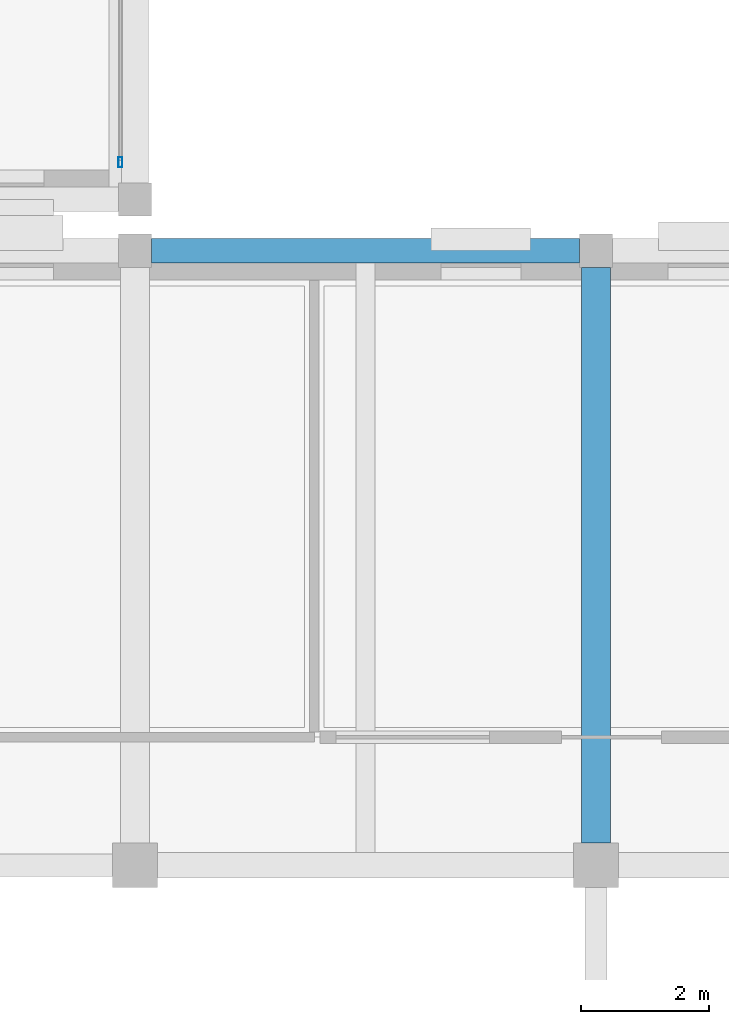
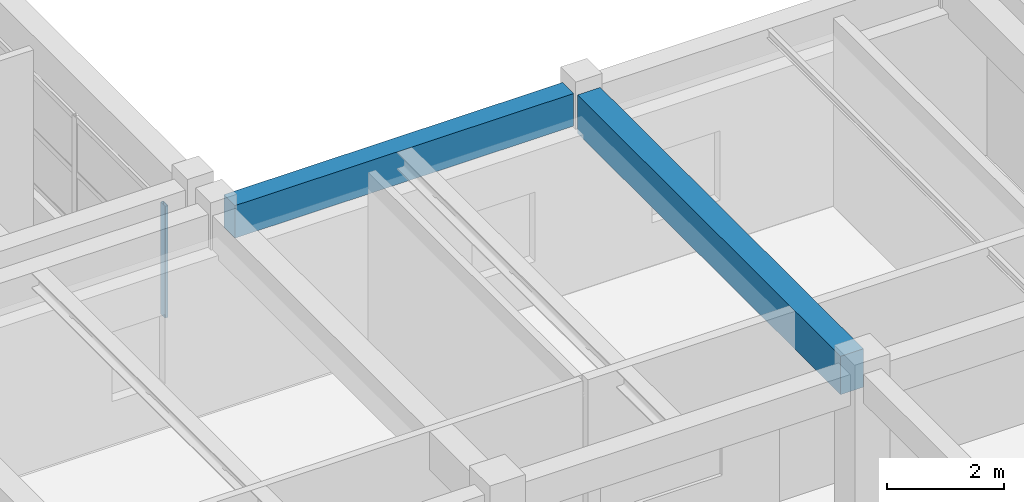
# One storey, part 6 of 67: 2 beams, 1 member, 1 element without a shape of its own.
"""IFC4 building model written with IfcOpenShell, lengths in metres."""

from ifc_helpers import new_model, si_unit, direction, frame, origin, origin_2d, place, context, subcontext, project, spatial, rectangle, hollow_rectangle, extrude, material, material_profile, profile_set, type_object, element, aggregate, save


model = new_model("IFC4")

# Units and contexts
model_context = context("Model", 3, precision=1e-05, world=origin(), true_north=direction((0.0, 1.0)))
body_context = subcontext(model_context, "Body", "Model", "MODEL_VIEW")
ifc_project = project(units=[si_unit("LENGTHUNIT", "METRE"), si_unit("AREAUNIT", "SQUARE_METRE"), si_unit("VOLUMEUNIT", "CUBIC_METRE"), si_unit("PLANEANGLEUNIT", "RADIAN"), si_unit("MASSUNIT", "GRAM", prefix="KILO")], contexts=[model_context])

# Site, building, storey
site_placement = place(None, origin())
site = spatial("IfcSite", under=ifc_project, at=site_placement, CompositionType="ELEMENT")
building_placement = place(site_placement, origin())
building = spatial("IfcBuilding", under=site, at=building_placement, Name="Bramveld Media Centre", CompositionType="ELEMENT")
storey_placement = place(building_placement, frame((0.0, 0.0, 5.39990234375)))
storey = spatial("IfcBuildingStorey", under=building, at=storey_placement, Name="L01", CompositionType="ELEMENT", Elevation=5.39990234375)

# Beam
ifc_material_1 = material(Name="Concrete C40/50", Category="concrete")
ifc_material_profile_1 = material_profile(ifc_material_1, rectangle(XDim=0.449951171875, YDim=0.800048828125, at=origin_2d()), Name="RC 450x800")
ifc_profile_set_1 = profile_set([ifc_material_profile_1], Name="Concrete C40/50")
beam_type_1 = type_object("IfcBeamType", Name="BM-INT-RC-450x800", PredefinedType="BEAM", material=ifc_profile_set_1)
beam_1_placement = place(storey_placement, frame((43.199951171875, 29.14990234375, 3.52001953125), z_axis=(0.0, 1.0, 0.0), x_axis=(-1.0, 0.0, 0.0)))
element("IfcBeam", 1, at=beam_1_placement, inside=storey, type_object=beam_type_1, Name="V2 L01 girder Y-178", PredefinedType="BEAM", context=body_context, shape_type="SweptSolid", body=[
    extrude(rectangle(XDim=0.449951171875, YDim=0.800048828125, at=origin_2d()), origin(), (0.0, 0.0, 1.0), 8.989990234375),
])

# Curtain wall, member
ifc_material_2 = material(Name="Thermally broken anodized bronze aluminium unitized curtain wall with solar-control triple glazing", Category="aluminium")
curtain_wall_type = type_object("IfcCurtainWallType", Name="CW-FACV3-6100x2330", PredefinedType="NOTDEFINED", material=ifc_material_2)
curtain_wall_placement = place(storey_placement, origin())
curtain_wall = element("IfcCurtainWall", 2, at=curtain_wall_placement, inside=storey, type_object=curtain_wall_type, Name="V3 L01 E curtain wall bay 1", PredefinedType="NOTDEFINED")
ifc_material_3 = material(Name="Thermally broken anodized bronze aluminium EN AW-6063 T6 curtain-wall framing", Category="aluminium")
ifc_material_profile_2 = material_profile(ifc_material_3, hollow_rectangle(XDim=0.06005859375, YDim=0.159912109375, WallThickness=0.00390625, InnerFilletRadius=0.00390625, OuterFilletRadius=0.008056640625, at=origin_2d()), Name="AL-MULL 60x160")
ifc_profile_set_2 = profile_set([ifc_material_profile_2], Name="Thermally broken anodized bronze aluminium EN AW-6063 T6 curtain-wall framing")
member_type = type_object("IfcMemberType", Name="CW-MULL-EXT", PredefinedType="MULLION", material=ifc_profile_set_2)
member_placement = place(storey_placement, frame((35.77001953125, 39.780029296875, 0.85009765625), z_axis=(0.0, 0.0, 1.0), x_axis=(-1.0, 0.0, 0.0)))
member = element("IfcMember", 3, at=member_placement, type_object=member_type, Name="CW-FA-6123 mullion 1", PredefinedType="MULLION", context=body_context, shape_type="SweptSolid", body=[
    extrude(hollow_rectangle(XDim=0.06005859375, YDim=0.159912109375, WallThickness=0.00390625, InnerFilletRadius=0.00390625, OuterFilletRadius=0.008056640625, at=origin_2d()), origin(), (0.0, 0.0, 1.0), 2.330078125),
])
aggregate(curtain_wall, [member])

# Beam
ifc_material_4 = material(Name="Concrete C40/50", Category="concrete")
ifc_material_profile_3 = material_profile(ifc_material_4, rectangle(XDim=0.3798828125, YDim=0.679931640625, at=origin_2d()), Name="RC 380x680")
ifc_profile_set_3 = profile_set([ifc_material_profile_3], Name="Concrete C40/50")
beam_type_2 = type_object("IfcBeamType", Name="SPANDREL-EXT-RC-380x680", PredefinedType="SPANDREL", material=ifc_profile_set_3)
beam_2_placement = place(storey_placement, frame((36.260009765625, 38.39990234375, 3.580078125), z_axis=(1.0, 0.0, 0.0), x_axis=(0.0, 1.0, 0.0)))
element("IfcBeam", 4, at=beam_2_placement, inside=storey, type_object=beam_type_2, Name="V2 L01 girder X-158", PredefinedType="SPANDREL", context=body_context, shape_type="SweptSolid", body=[
    extrude(rectangle(XDim=0.3798828125, YDim=0.679931640625, at=origin_2d()), origin(), (0.0, 0.0, 1.0), 6.679931640625),
])

save(model, "model.ifc")
